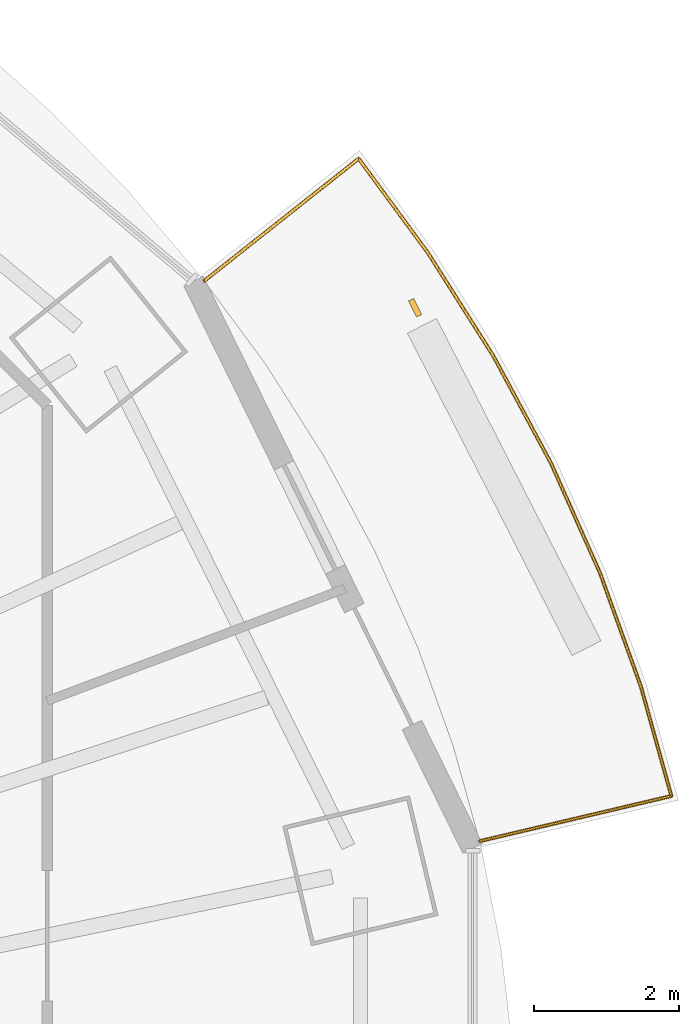
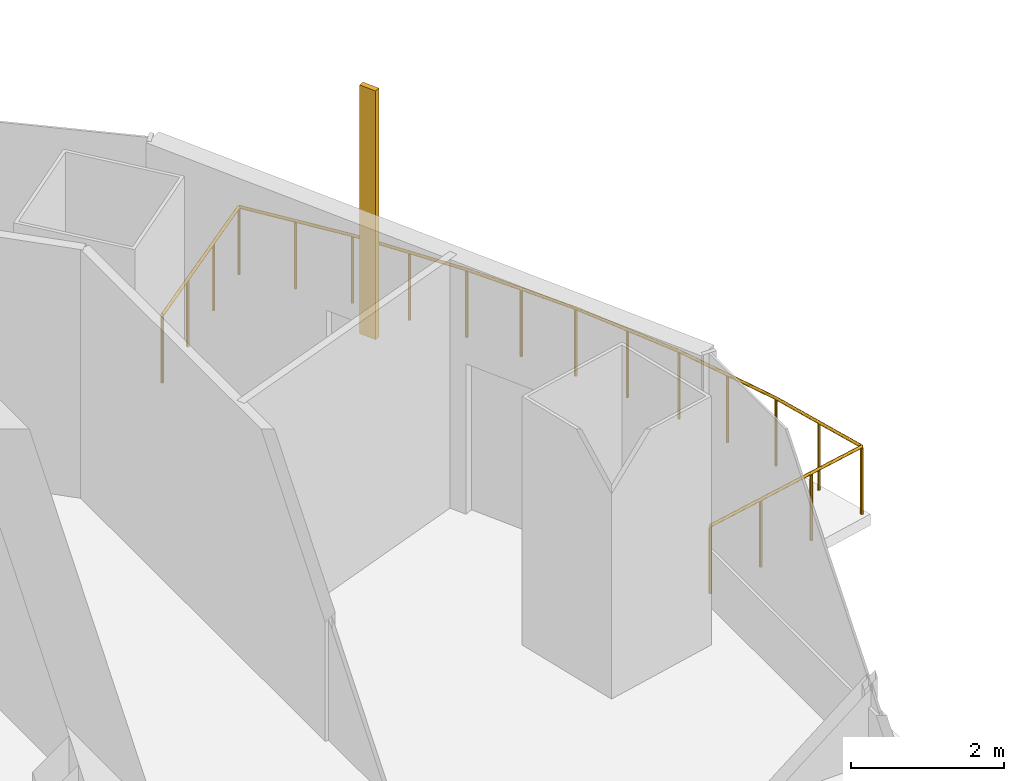
# One storey, part 15 of 16: 1 railing, 1 shading device.
"""IFC4 building model written with IfcOpenShell, lengths in metres."""

from ifc_helpers import new_model, si_unit, direction, frame, origin, origin_2d, place, context, subcontext, project, spatial, rectangle, circle, extrude, material, material_profile, profile_set, type_object, element, save


model = new_model("IFC4")

# Units and contexts
model_context = context("Model", 3, precision=1e-05, world=origin(), true_north=direction((0.0, 1.0)))
body_context = subcontext(model_context, "Body", "Model", "MODEL_VIEW")
ifc_project = project(units=[si_unit("LENGTHUNIT", "METRE"), si_unit("AREAUNIT", "SQUARE_METRE"), si_unit("VOLUMEUNIT", "CUBIC_METRE"), si_unit("PLANEANGLEUNIT", "RADIAN"), si_unit("MASSUNIT", "GRAM", prefix="KILO")], contexts=[model_context])

# Site, building, storey
site_placement = place(None, origin())
site = spatial("IfcSite", under=ifc_project, at=site_placement, CompositionType="ELEMENT")
building_placement = place(site_placement, origin())
building = spatial("IfcBuilding", under=site, at=building_placement, Name="Marenthal Gate Tower", CompositionType="ELEMENT")
storey_placement = place(building_placement, frame((0.0, 0.0, 375.800048828125)))
storey = spatial("IfcBuildingStorey", under=building, at=storey_placement, Name="L85", CompositionType="ELEMENT", Elevation=375.800048828125)

# Railing
ifc_material_1 = material(Name="Stainless steel", Category="steel")
railing_type = type_object("IfcRailingType", Name="Balcony guard 1100", PredefinedType="GUARDRAIL", material=ifc_material_1)
railing_placement = place(storey_placement, frame((21.2197265625, 12.98486328125, 0.0)))
element("IfcRailing", 1, at=railing_placement, inside=storey, type_object=railing_type, Name="Balcony guard L85 bay 1", PredefinedType="GUARDRAIL", context=body_context, shape_type="SweptSolid", body=[
    extrude(circle(Radius=0.02392578125, at=origin_2d()), frame((0.0, 0.0, 1.076171875), z_axis=(0.783891722645, 0.620723054021, -0.014719285839), x_axis=(-0.620790307063, 0.783976654408, 0.0)), (0.0, 0.0, 1.0), 2.72021484375),
    extrude(circle(Radius=0.02392578125, at=origin_2d()), frame((2.13232421875, 1.6884765625, 1.0361328125), z_axis=(0.592278211016, -0.805733529621, 0.0), x_axis=(0.805733529621, 0.592278211016, 0.0)), (0.0, 0.0, 1.0), 1.61962890625),
    extrude(circle(Radius=0.02392578125, at=origin_2d()), frame((3.091552734375, 0.383544921875, 1.0361328125), z_axis=(0.535526927238, -0.844518152678, 0.0), x_axis=(0.844518152678, 0.535526927238, 0.0)), (0.0, 0.0, 1.0), 1.687744140625),
    extrude(circle(Radius=0.02392578125, at=origin_2d()), frame((3.995361328125, -1.041748046875, 1.0361328125), z_axis=(0.473457232822, -0.880816807679, 0.0), x_axis=(0.880816807679, 0.473457232822, 0.0)), (0.0, 0.0, 1.0), 1.677001953125),
    extrude(circle(Radius=0.02392578125, at=origin_2d()), frame((4.789306640625, -2.518798828125, 1.0361328125), z_axis=(0.407605060016, -0.913158318721, 0.0), x_axis=(0.913158318721, 0.407605060016, 0.0)), (0.0, 0.0, 1.0), 1.66748046875),
    extrude(circle(Radius=0.02392578125, at=origin_2d()), frame((5.468994140625, -4.04150390625, 1.0361328125), z_axis=(0.338610035627, -0.940926800433, 0.0), x_axis=(0.940926800433, 0.338610035627, 0.0)), (0.0, 0.0, 1.0), 1.658935546875),
    extrude(circle(Radius=0.02392578125, at=origin_2d()), frame((6.03076171875, -5.6025390625, 1.0361328125), z_axis=(0.268420452005, -0.963301853494, 0.0), x_axis=(0.963301853494, 0.268420452005, 0.0)), (0.0, 0.0, 1.0), 1.572509765625),
    extrude(circle(Radius=0.02392578125, at=origin_2d()), frame((6.452880859375, -7.117431640625, 1.0361328125), z_axis=(-0.973222195999, -0.229394682126, 0.014718594628), x_axis=(0.229419533855, -0.973327631112, 0.0)), (0.0, 0.0, 1.0), 2.72021484375),
    extrude(circle(Radius=0.02099609375, at=origin_2d()), origin(), (0.0, 0.0, 1.0), 1.052001953125),
    extrude(circle(Radius=0.02099609375, at=origin_2d()), frame((0.710693359375, 0.562744140625, -0.013427734375)), (0.0, 0.0, 1.0), 1.052001953125),
    extrude(circle(Radius=0.02099609375, at=origin_2d()), frame((1.421630859375, 1.125732421875, -0.026611328125)), (0.0, 0.0, 1.0), 1.052001953125),
    extrude(circle(Radius=0.02099609375, at=origin_2d()), frame((2.13232421875, 1.6884765625, -0.0400390625)), (0.0, 0.0, 1.0), 1.052001953125),
    extrude(circle(Radius=0.02099609375, at=origin_2d()), frame((2.61181640625, 1.0361328125, -0.0400390625)), (0.0, 0.0, 1.0), 1.052001953125),
    extrude(circle(Radius=0.02099609375, at=origin_2d()), frame((3.091552734375, 0.383544921875, -0.0400390625)), (0.0, 0.0, 1.0), 1.052001953125),
    extrude(circle(Radius=0.02099609375, at=origin_2d()), frame((3.54345703125, -0.3291015625, -0.0400390625)), (0.0, 0.0, 1.0), 1.052001953125),
    extrude(circle(Radius=0.02099609375, at=origin_2d()), frame((3.995361328125, -1.041748046875, -0.0400390625)), (0.0, 0.0, 1.0), 1.052001953125),
    extrude(circle(Radius=0.02099609375, at=origin_2d()), frame((4.392333984375, -1.7802734375, -0.0400390625)), (0.0, 0.0, 1.0), 1.052001953125),
    extrude(circle(Radius=0.02099609375, at=origin_2d()), frame((4.789306640625, -2.518798828125, -0.0400390625)), (0.0, 0.0, 1.0), 1.052001953125),
    extrude(circle(Radius=0.02099609375, at=origin_2d()), frame((5.129150390625, -3.2802734375, -0.0400390625)), (0.0, 0.0, 1.0), 1.052001953125),
    extrude(circle(Radius=0.02099609375, at=origin_2d()), frame((5.468994140625, -4.04150390625, -0.0400390625)), (0.0, 0.0, 1.0), 1.052001953125),
    extrude(circle(Radius=0.02099609375, at=origin_2d()), frame((5.75, -4.822021484375, -0.0400390625)), (0.0, 0.0, 1.0), 1.052001953125),
    extrude(circle(Radius=0.02099609375, at=origin_2d()), frame((6.03076171875, -5.6025390625, -0.0400390625)), (0.0, 0.0, 1.0), 1.052001953125),
    extrude(circle(Radius=0.02099609375, at=origin_2d()), frame((6.24169921875, -6.35986328125, -0.0400390625)), (0.0, 0.0, 1.0), 1.052001953125),
    extrude(circle(Radius=0.02099609375, at=origin_2d()), frame((6.452880859375, -7.117431640625, -0.0400390625)), (0.0, 0.0, 1.0), 1.052001953125),
    extrude(circle(Radius=0.02099609375, at=origin_2d()), frame((5.5703125, -7.325439453125, -0.026611328125)), (0.0, 0.0, 1.0), 1.052001953125),
    extrude(circle(Radius=0.02099609375, at=origin_2d()), frame((4.68798828125, -7.533447265625, -0.013427734375)), (0.0, 0.0, 1.0), 1.052001953125),
    extrude(circle(Radius=0.02099609375, at=origin_2d()), frame((3.805419921875, -7.741455078125, 0.0)), (0.0, 0.0, 1.0), 1.052001953125),
])

# Shading device
ifc_material_2 = material(Name="Terracotta", Category="masonry")
ifc_material_profile = material_profile(ifc_material_2, rectangle(XDim=0.25, YDim=0.080078125, at=origin_2d()), Name="Terracotta baguette 250x80")
ifc_profile_set = profile_set([ifc_material_profile], Name="Terracotta")
shading_device_type = type_object("IfcShadingDeviceType", Name="Terracotta BAGUETTE SCREEN 250x80", PredefinedType="USERDEFINED", material=ifc_profile_set)
shading_device_placement = place(storey_placement, frame((24.13134765625, 12.61376953125, -0.0400390625), z_axis=(0.0, 0.0, 1.0), x_axis=(-0.44093893362, 0.897537106096, 0.0)))
element("IfcShadingDevice", 2, at=shading_device_placement, inside=storey, type_object=shading_device_type, Name="Terracotta BAGUETTE L85 bay 1R", ObjectType="BAGUETTE SCREEN", PredefinedType="USERDEFINED", context=body_context, shape_type="SweptSolid", body=[
    extrude(rectangle(XDim=0.25, YDim=0.080078125, at=origin_2d()), origin(), (0.0, 0.0, 1.0), 3.969970703125),
])

save(model, "model.ifc")
